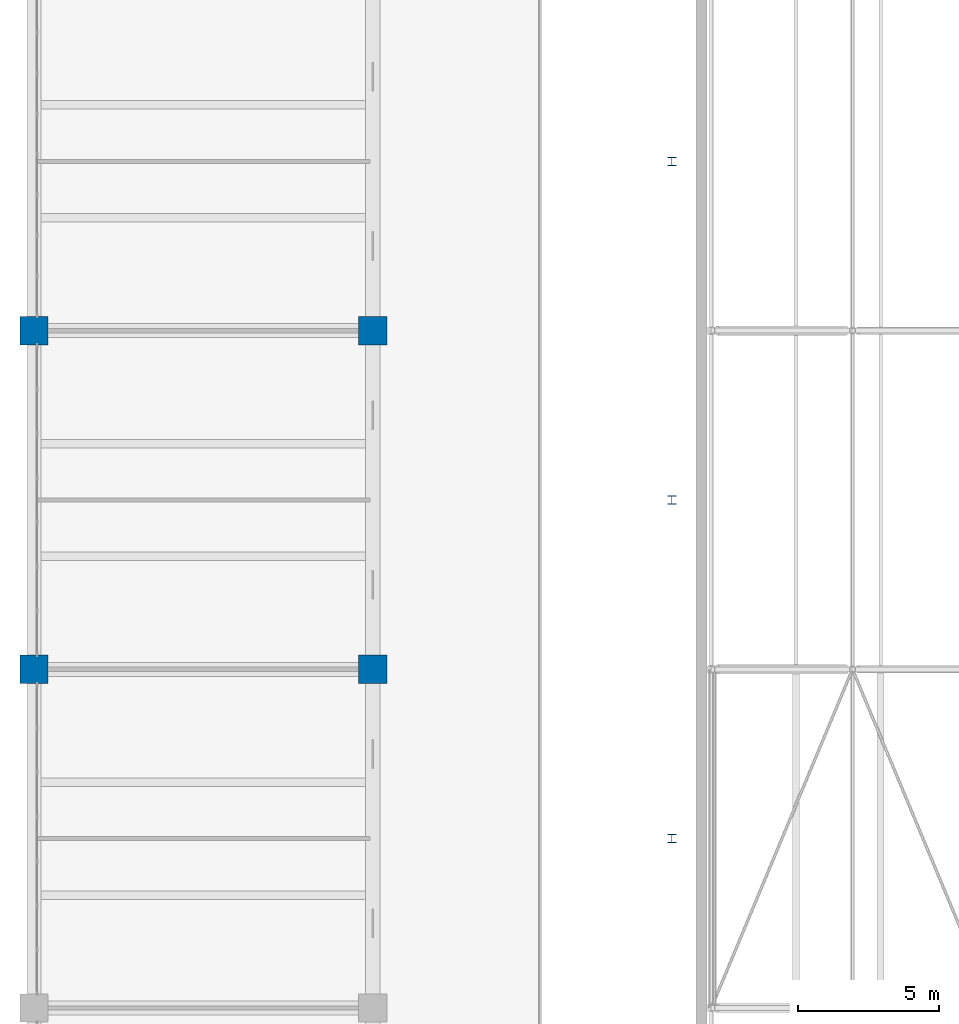
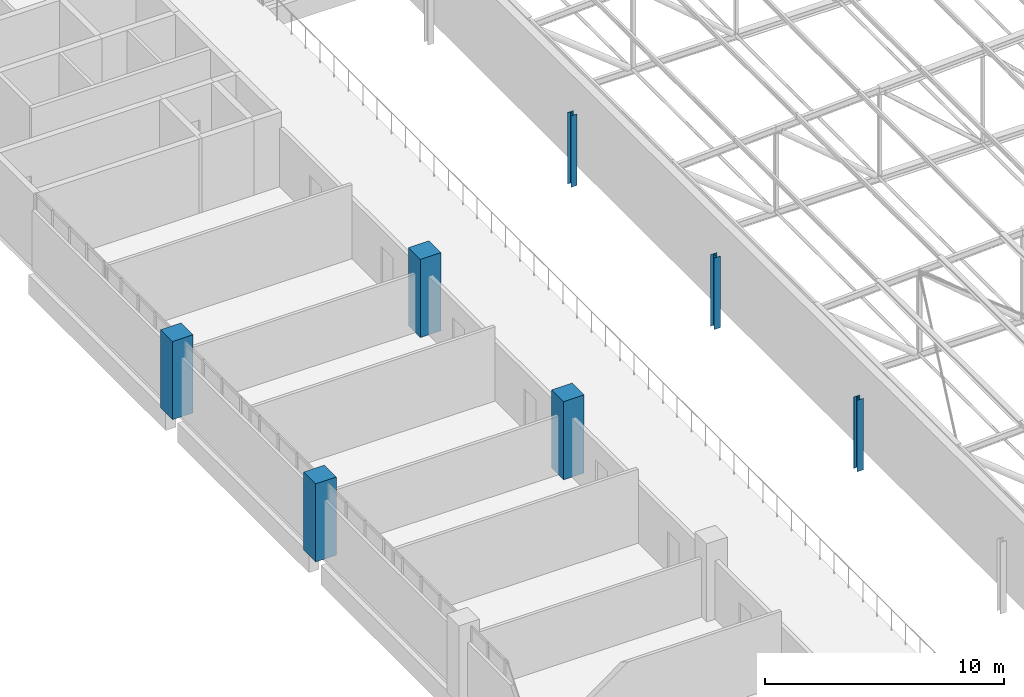
# One storey, part 5 of 156: 7 columns.
"""IFC4 building model written with IfcOpenShell, lengths in metres."""

from ifc_helpers import new_model, si_unit, direction, frame, origin, origin_2d, place, context, subcontext, project, spatial, rectangle, i_section, extrude, material, material_profile, profile_set, type_object, element, save


model = new_model("IFC4")

# Units and contexts
model_context = context("Model", 3, precision=1e-05, world=origin(), true_north=direction((0.0, 1.0)))
body_context = subcontext(model_context, "Body", "Model", "MODEL_VIEW")
ifc_project = project(units=[si_unit("LENGTHUNIT", "METRE"), si_unit("AREAUNIT", "SQUARE_METRE"), si_unit("VOLUMEUNIT", "CUBIC_METRE"), si_unit("PLANEANGLEUNIT", "RADIAN"), si_unit("MASSUNIT", "GRAM", prefix="KILO")], contexts=[model_context])

# Site, building, storey
site_placement = place(None, origin())
site = spatial("IfcSite", under=ifc_project, at=site_placement, CompositionType="ELEMENT")
building_placement = place(site_placement, origin())
building = spatial("IfcBuilding", under=site, at=building_placement, Name="Lilac Gate Convention Centre", CompositionType="ELEMENT")
storey_placement = place(building_placement, frame((0.0, 0.0, 17.0)))
storey = spatial("IfcBuildingStorey", under=building, at=storey_placement, Name="L03", CompositionType="ELEMENT", Elevation=17.0)

# Columns
ifc_material_1 = material(Name="Concrete C40", Category="concrete")
ifc_material_profile_1 = material_profile(ifc_material_1, rectangle(XDim=1.0, YDim=1.0, at=origin_2d()), Name="RC 1000x1000")
ifc_profile_set_1 = profile_set([ifc_material_profile_1], Name="Concrete C40")
column_type_1 = type_object("IfcColumnType", Name="RC column 1000x1000 C40", PredefinedType="COLUMN", material=ifc_profile_set_1)
for number, where, z_axis, x_axis, name in (
    (1, (6.0, 186.0, 0.0), (0.0, 0.0, 1.0), (1.0, 0.0, 0.0), "C1 L03 at 1/P"),
    (2, (6.0, 198.0, 0.0), (0.0, 0.0, 1.0), (1.0, 0.0, 0.0), "C1 L03 at 1/Q"),
    (3, (18.0, 186.0, 0.0), (0.0, 0.0, 1.0), (1.0, 0.0, 0.0), "C1 L03 at 2/P"),
    (4, (18.0, 198.0, 0.0), (0.0, 0.0, 1.0), (1.0, 0.0, 0.0), "C1 L03 at 2/Q"),
):
    element("IfcColumn", number, at=place(storey_placement, frame(where, z_axis=z_axis, x_axis=x_axis)), inside=storey, type_object=column_type_1, Name=name, PredefinedType="COLUMN", context=body_context, shape_type="SweptSolid", body=[
        extrude(rectangle(XDim=1.0, YDim=1.0, at=origin_2d()), origin(), (0.0, 0.0, 1.0), 4.0),
    ])
ifc_material_2 = material(Name="Steel Q355B", Category="steel")
ifc_material_profile_2 = material_profile(ifc_material_2, i_section(OverallWidth=0.300048828125, OverallDepth=0.300048828125, WebThickness=0.010009765625, FlangeThickness=0.014892578125, FilletRadius=0.012939453125, at=origin_2d()), Name="HW300x300x10x15")
ifc_profile_set_2 = profile_set([ifc_material_profile_2], Name="Steel Q355B")
column_type_2 = type_object("IfcColumnType", Name="Steel column HW300x300x10x15", PredefinedType="COLUMN", material=ifc_profile_set_2)
for number, where, z_axis, x_axis, name in (
    (5, (28.60009765625, 180.0, 0.0), (0.0, 0.0, 1.0), (1.0, 0.0, 0.0), "SC1 L03 atrium column at 180"),
    (6, (28.60009765625, 192.0, 0.0), (0.0, 0.0, 1.0), (1.0, 0.0, 0.0), "SC1 L03 atrium column at 192"),
    (7, (28.60009765625, 204.0, 0.0), (0.0, 0.0, 1.0), (1.0, 0.0, 0.0), "SC1 L03 atrium column at 204"),
):
    element("IfcColumn", number, at=place(storey_placement, frame(where, z_axis=z_axis, x_axis=x_axis)), inside=storey, type_object=column_type_2, Name=name, PredefinedType="COLUMN", context=body_context, shape_type="SweptSolid", body=[
        extrude(i_section(OverallWidth=0.300048828125, OverallDepth=0.300048828125, WebThickness=0.010009765625, FlangeThickness=0.014892578125, FilletRadius=0.012939453125, at=origin_2d()), origin(), (0.0, 0.0, 1.0), 3.659912109375),
    ])

save(model, "model.ifc")
